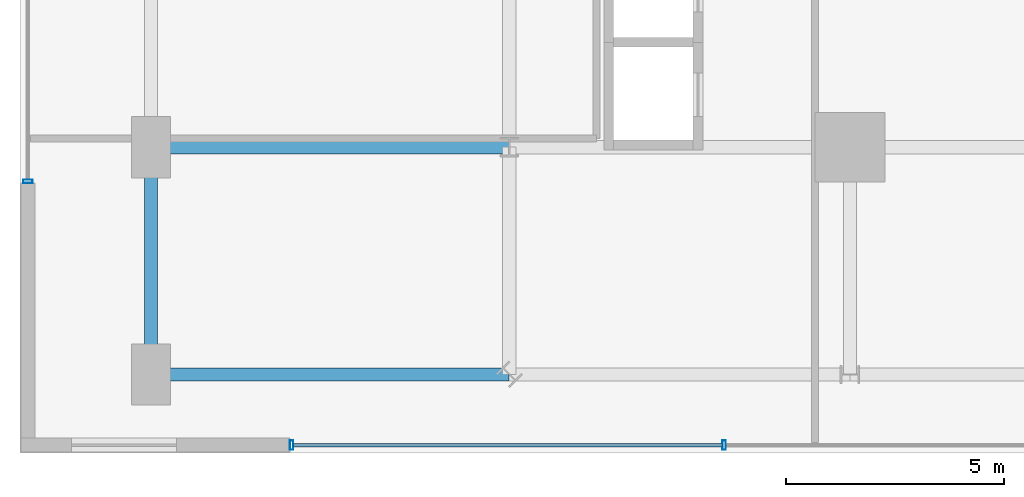
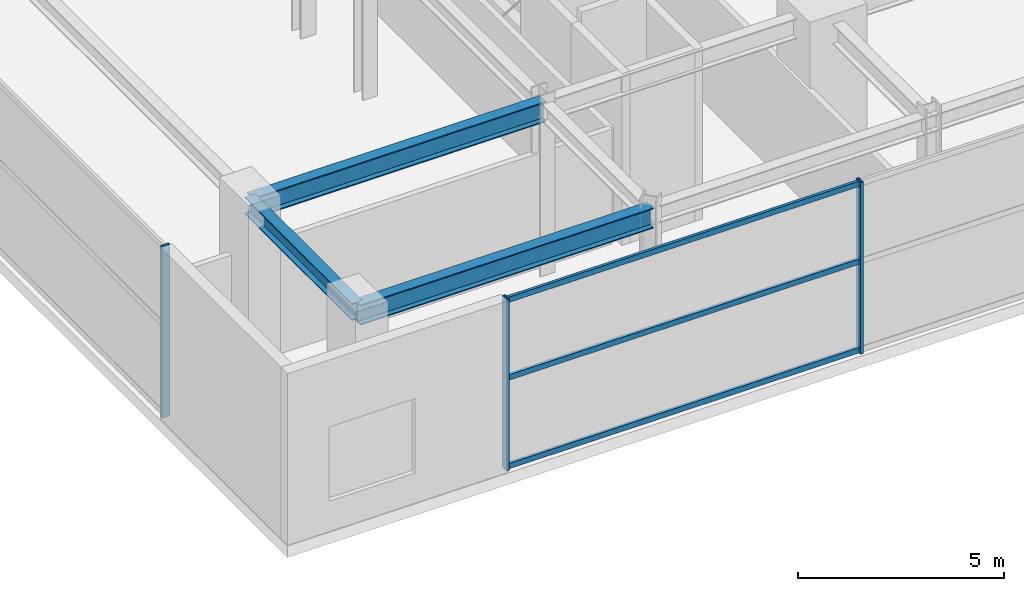
# One storey, part 4 of 34: 6 members, 3 beams, 2 elements without a shape of their own.
"""IFC4 building model written with IfcOpenShell, lengths in metres."""

from ifc_helpers import new_model, si_unit, direction, frame, origin, origin_2d, place, context, subcontext, project, spatial, hollow_rectangle, i_section, extrude, source, transform, mapped, material, material_profile, profile_set, type_object, element, aggregate, save


model = new_model("IFC4")

# Units and contexts
model_context = context("Model", 3, precision=1e-05, world=origin(), true_north=direction((0.0, 1.0)))
body_context = subcontext(model_context, "Body", "Model", "MODEL_VIEW")
ifc_project = project(units=[si_unit("LENGTHUNIT", "METRE"), si_unit("AREAUNIT", "SQUARE_METRE"), si_unit("VOLUMEUNIT", "CUBIC_METRE"), si_unit("PLANEANGLEUNIT", "RADIAN"), si_unit("MASSUNIT", "GRAM", prefix="KILO")], contexts=[model_context])

# Site, building, storey
site_placement = place(None, origin())
site = spatial("IfcSite", under=ifc_project, at=site_placement, CompositionType="ELEMENT")
building_placement = place(site_placement, origin())
building = spatial("IfcBuilding", under=site, at=building_placement, Name="Nahalor Promenade Grand Hotel", CompositionType="ELEMENT")
storey_placement = place(building_placement, frame((0.0, 0.0, 16.199951171875)))
storey = spatial("IfcBuildingStorey", under=building, at=storey_placement, Name="L03", CompositionType="ELEMENT", Elevation=16.199951171875)

# Beams
ifc_material_1 = material(Name="Steel S355JR", Category="steel")
ifc_material_profile_1 = material_profile(ifc_material_1, i_section(OverallWidth=0.3, OverallDepth=0.6, WebThickness=0.0155, FlangeThickness=0.03, at=origin_2d()), Name="HEB 600")
ifc_profile_set_1 = profile_set([ifc_material_profile_1], Name="Steel S355JR")
beam_type_1 = type_object("IfcBeamType", Name="Beam-Girder-HEB600", PredefinedType="BEAM", material=ifc_profile_set_1)
shared_shape_1 = source(origin(), body_context, "Body", "SweptSolid", [
    extrude(i_section(OverallWidth=0.3, OverallDepth=0.6, WebThickness=0.0155, FlangeThickness=0.03, at=origin_2d()), origin(), (0.0, 0.0, 1.0), 8.199951171875),
])
for number, where, z_axis, x_axis, name in (
    (1, (-33.0, -17.0, 4.780029296875), (1.0, 0.0, 0.0), (0.0, 1.0, 0.0), "BM-L03-GX-0-0"),
    (2, (-24.800048828125, -22.199951171875, 4.780029296875), (-1.0, 0.0, 0.0), (0.0, -1.0, 0.0), "BM-L03-TIE-PW--22"),
):
    element("IfcBeam", number, at=place(storey_placement, frame(where, z_axis=z_axis, x_axis=x_axis)), inside=storey, type_object=beam_type_1, Name=name, PredefinedType="BEAM", context=body_context, shape_type="MappedRepresentation", body=[
        mapped(shared_shape_1, transform((0.0, 0.0, 0.0), scale=1.0)),
    ])
ifc_material_profile_2 = material_profile(ifc_material_1, i_section(OverallWidth=0.3, OverallDepth=0.5, WebThickness=0.0145, FlangeThickness=0.028, at=origin_2d()), Name="HEB 500")
ifc_profile_set_2 = profile_set([ifc_material_profile_2], Name="Steel S355JR")
beam_type_2 = type_object("IfcBeamType", Name="Beam-Spandrel-HEB500", PredefinedType="SPANDREL", material=ifc_profile_set_2)
shared_shape_2 = source(origin(), body_context, "Body", "SweptSolid", [
    extrude(i_section(OverallWidth=0.3, OverallDepth=0.5, WebThickness=0.0145, FlangeThickness=0.028, at=origin_2d()), origin(), (0.0, 0.0, 1.0), 5.199951171875),
])
beam_placement = place(storey_placement, frame((-33.0, -22.199951171875, 4.830078125), z_axis=(0.0, 1.0, 0.0), x_axis=(-1.0, 0.0, 0.0)))
element("IfcBeam", 3, at=beam_placement, inside=storey, type_object=beam_type_2, Name="BM-L03-PW-0", PredefinedType="SPANDREL", context=body_context, shape_type="MappedRepresentation", body=[
    mapped(shared_shape_2, transform((0.0, 0.0, 0.0), scale=1.0)),
])

# Curtain wall, members
ifc_material_2 = material(Name="Anodised Bronze Aluminium EN AW-6063 T6", Category="aluminium")
curtain_wall_type = type_object("IfcCurtainWallType", Name="CW1 Waterfront Podium Bronze Arcade Curtain Wall", PredefinedType="USERDEFINED", material=ifc_material_2)
curtain_wall_1_placement = place(storey_placement, origin())
curtain_wall_1 = element("IfcCurtainWall", 4, at=curtain_wall_1_placement, inside=storey, type_object=curtain_wall_type, Name="L03 Curtain Wall CW-L03-S", ObjectType="UNITISED_CURTAIN_WALL", PredefinedType="USERDEFINED")
ifc_material_profile_3 = material_profile(ifc_material_2, hollow_rectangle(XDim=0.08, YDim=0.22, WallThickness=0.005, at=origin_2d()), Name="CWM 80x220x5")
ifc_profile_set_3 = profile_set([ifc_material_profile_3], Name="Anodised Bronze Aluminium EN AW-6063 T6")
member_type_1 = type_object("IfcMemberType", Name="CWM1 Podium Bronze Mullion 80x220", PredefinedType="MULLION", material=ifc_profile_set_3)
shared_shape_3 = source(origin(), body_context, "Body", "SweptSolid", [
    extrude(hollow_rectangle(XDim=0.08, YDim=0.22, WallThickness=0.005, at=origin_2d()), origin(), (0.0, 0.0, 1.0), 5.080078125),
])
member_1_placement = place(storey_placement, frame((-29.780029296875, -23.820068359375, 0.0), z_axis=(0.0, 0.0, 1.0), x_axis=(1.0, 0.0, 0.0)))
member_1 = element("IfcMember", 5, at=member_1_placement, type_object=member_type_1, Name="CW-L03-S Mullion 0", PredefinedType="MULLION", context=body_context, shape_type="MappedRepresentation", body=[
    mapped(shared_shape_3, transform((0.0, 0.0, 0.0), scale=1.0)),
])
member_2_placement = place(storey_placement, frame((-19.8798828125, -23.820068359375, 0.0), z_axis=(0.0, 0.0, 1.0), x_axis=(1.0, 0.0, 0.0)))
member_2 = element("IfcMember", 6, at=member_2_placement, type_object=member_type_1, Name="CW-L03-S Mullion 1", PredefinedType="MULLION", context=body_context, shape_type="MappedRepresentation", body=[
    mapped(shared_shape_3, transform((0.0, 0.0, 0.0), scale=1.0)),
])

# Curtain wall, member
curtain_wall_2_placement = place(storey_placement, origin())
curtain_wall_2 = element("IfcCurtainWall", 7, at=curtain_wall_2_placement, inside=storey, type_object=curtain_wall_type, Name="L03 Curtain Wall CW-L03-W", ObjectType="UNITISED_CURTAIN_WALL", PredefinedType="USERDEFINED")
member_3_placement = place(storey_placement, frame((-35.820068359375, -17.780029296875, 0.0), z_axis=(0.0, 0.0, 1.0), x_axis=(0.0, 1.0, 0.0)))
member_3 = element("IfcMember", 8, at=member_3_placement, type_object=member_type_1, Name="CW-L03-W Mullion 0", PredefinedType="MULLION", context=body_context, shape_type="MappedRepresentation", body=[
    mapped(shared_shape_3, transform((0.0, 0.0, 0.0), scale=1.0)),
])
aggregate(curtain_wall_2, [member_3])

# Member
ifc_material_profile_4 = material_profile(ifc_material_2, hollow_rectangle(XDim=0.08, YDim=0.16, WallThickness=0.004, at=origin_2d()), Name="CWT 80x160x4")
ifc_profile_set_4 = profile_set([ifc_material_profile_4], Name="Anodised Bronze Aluminium EN AW-6063 T6")
member_type_2 = type_object("IfcMemberType", Name="CWT1 Podium Bronze Transom 80x160", PredefinedType="USERDEFINED", material=ifc_profile_set_4)
shared_shape_4 = source(origin(), body_context, "Body", "SweptSolid", [
    extrude(hollow_rectangle(XDim=0.08, YDim=0.16, WallThickness=0.004, at=origin_2d()), origin(), (0.0, 0.0, 1.0), 9.820068359375),
])
member_4_placement = place(storey_placement, frame((-29.739990234375, -23.820068359375, 0.080078125), z_axis=(1.0, 0.0, 0.0), x_axis=(0.0, 1.0, 0.0)))
member_4 = element("IfcMember", 9, at=member_4_placement, type_object=member_type_2, Name="CW-L03-S Transom 0-0", ObjectType="TRANSOM", PredefinedType="USERDEFINED", context=body_context, shape_type="MappedRepresentation", body=[
    mapped(shared_shape_4, transform((0.0, 0.0, 0.0), scale=1.0)),
])

member_5_placement = place(storey_placement, frame((-29.739990234375, -23.820068359375, 2.699951171875), z_axis=(1.0, 0.0, 0.0), x_axis=(0.0, 1.0, 0.0)))
member_5 = element("IfcMember", 10, at=member_5_placement, type_object=member_type_2, Name="CW-L03-S Transom 0-1", ObjectType="TRANSOM", PredefinedType="USERDEFINED", context=body_context, shape_type="MappedRepresentation", body=[
    mapped(shared_shape_4, transform((0.0, 0.0, 0.0), scale=1.0)),
])

member_6_placement = place(storey_placement, frame((-29.739990234375, -23.820068359375, 5.0), z_axis=(1.0, 0.0, 0.0), x_axis=(0.0, 1.0, 0.0)))
member_6 = element("IfcMember", 11, at=member_6_placement, type_object=member_type_2, Name="CW-L03-S Transom 0-2", ObjectType="TRANSOM", PredefinedType="USERDEFINED", context=body_context, shape_type="MappedRepresentation", body=[
    mapped(shared_shape_4, transform((0.0, 0.0, 0.0), scale=1.0)),
])

aggregate(curtain_wall_1, [member_1, member_2, member_4, member_5, member_6])

save(model, "model.ifc")
